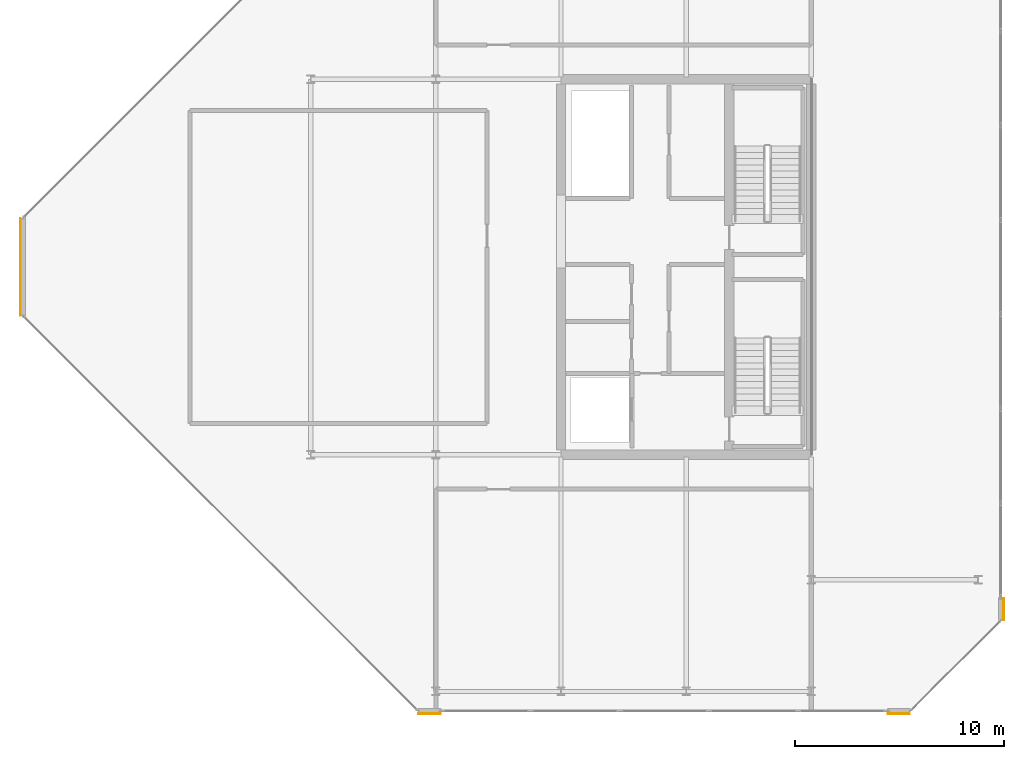
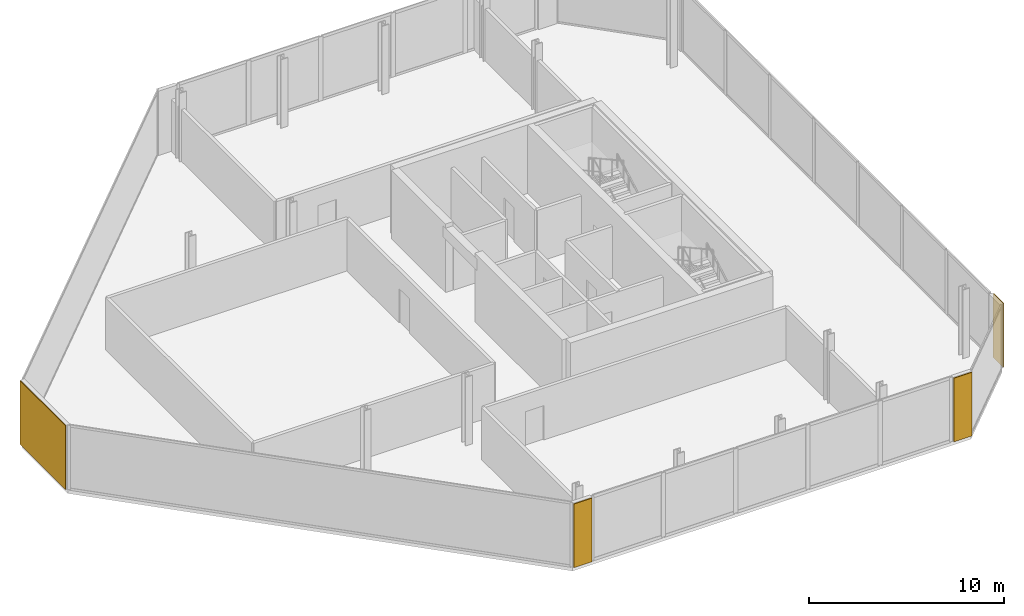
# One storey, part 15 of 16: 4 coverings.
"""IFC4 building model written with IfcOpenShell, lengths in metres."""

from ifc_helpers import new_model, si_unit, direction, frame, origin, origin_2d, place, context, subcontext, project, spatial, rectangle, extrude, material, layer, layer_set, type_object, element, save


model = new_model("IFC4")

# Units and contexts
model_context = context("Model", 3, precision=1e-05, world=origin(), true_north=direction((0.0, 1.0)))
body_context = subcontext(model_context, "Body", "Model", "MODEL_VIEW")
ifc_project = project(units=[si_unit("LENGTHUNIT", "METRE"), si_unit("AREAUNIT", "SQUARE_METRE"), si_unit("VOLUMEUNIT", "CUBIC_METRE"), si_unit("PLANEANGLEUNIT", "RADIAN"), si_unit("MASSUNIT", "GRAM", prefix="KILO")], contexts=[model_context])

# Site, building, storey
site_placement = place(None, origin())
site = spatial("IfcSite", under=ifc_project, at=site_placement, CompositionType="ELEMENT")
building_placement = place(site_placement, origin())
building = spatial("IfcBuilding", under=site, at=building_placement, Name="Tanjung Sevakor Pilgrim Tower", CompositionType="ELEMENT")
storey_placement = place(building_placement, frame((0.0, 0.0, 278.85009765625)))
storey = spatial("IfcBuildingStorey", under=building, at=storey_placement, Name="L78", CompositionType="ELEMENT", Elevation=278.85009765625)

# Coverings
ifc_material = material(Name="Reconstructed Limestone Cladding", Category="masonry")
ifc_layer = layer(ifc_material, 0.044921875)
ifc_layer_set = layer_set([ifc_layer], Name="COV-CLAD-LIMESTONE")
covering_type = type_object("IfcCoveringType", Name="COV-CLAD-LIMESTONE", PredefinedType="CLADDING", material=ifc_layer_set)
for number, where, z_axis, x_axis, name in (
    (1, (71.695556640625, 12.177490234375, 0.02001953125), (0.0, 0.0, 1.0), (1.0, 0.0, 0.0), "L78 Warm Limestone Wall Cladding EW-CRN1-L78-EAST-0-1"),
    (2, (94.204345703125, 12.177490234375, 0.02001953125), (0.0, 0.0, 1.0), (1.0, 0.0, 0.0), "L78 Warm Limestone Wall Cladding EW-CRN2-L78-EAST-0-1"),
    (3, (99.222412109375, 17.195556640625, 0.02001953125), (0.0, 0.0, 1.0), (0.0, 1.0, 0.0), "L78 Warm Limestone Wall Cladding EW-CRN1-L78-EAST-2-1"),
):
    element("IfcCovering", number, at=place(storey_placement, frame(where, z_axis=z_axis, x_axis=x_axis)), inside=storey, type_object=covering_type, Name=name, PredefinedType="CLADDING", context=body_context, shape_type="SweptSolid", body=[
        extrude(rectangle(XDim=1.06005859375, YDim=0.044921875, at=origin_2d()), origin(), (0.0, 0.0, 1.0), 3.989990234375),
    ])
covering_placement = place(storey_placement, frame((52.077392578125, 33.60009765625, 0.02001953125), z_axis=(0.0, 0.0, 1.0), x_axis=(0.0, -1.0, 0.0)))
element("IfcCovering", 4, at=covering_placement, inside=storey, type_object=covering_type, Name="L78 Warm Limestone Wall Cladding EW-L78-EAST-7", PredefinedType="CLADDING", context=body_context, shape_type="SweptSolid", body=[
    extrude(rectangle(XDim=4.668701171875, YDim=0.044921875, at=origin_2d()), origin(), (0.0, 0.0, 1.0), 3.989990234375),
])

save(model, "model.ifc")
